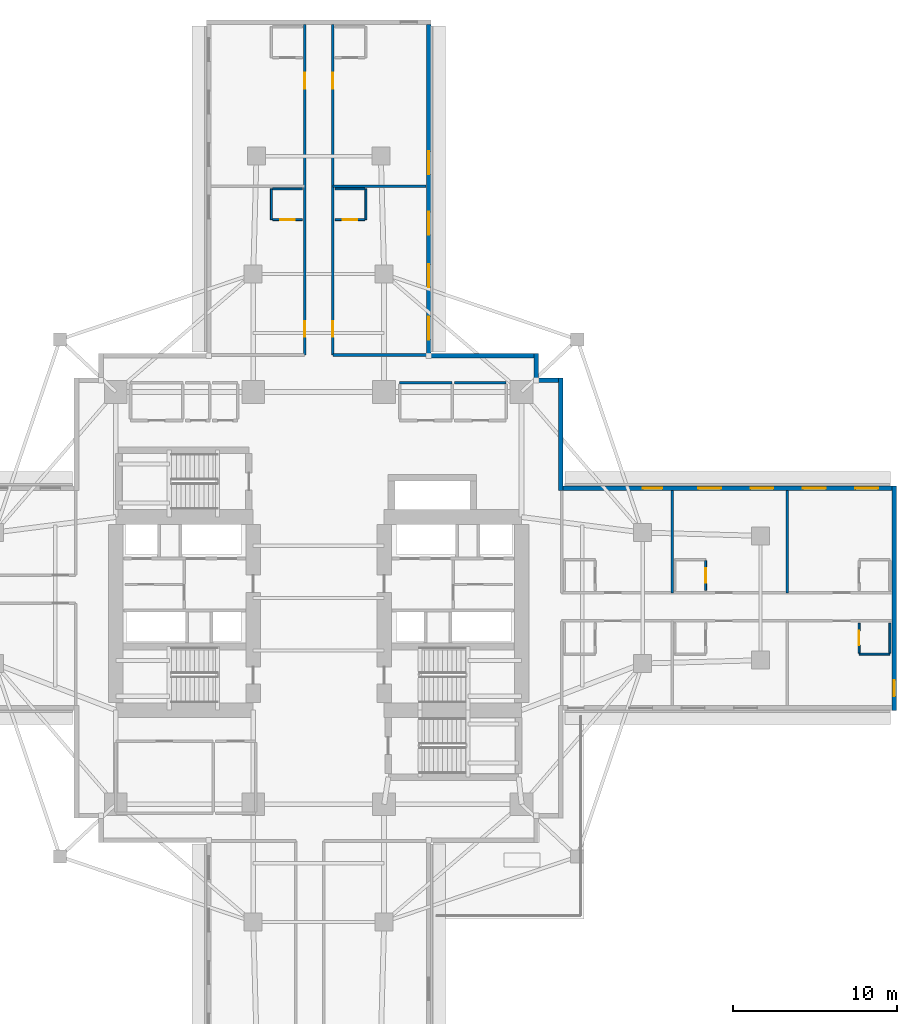
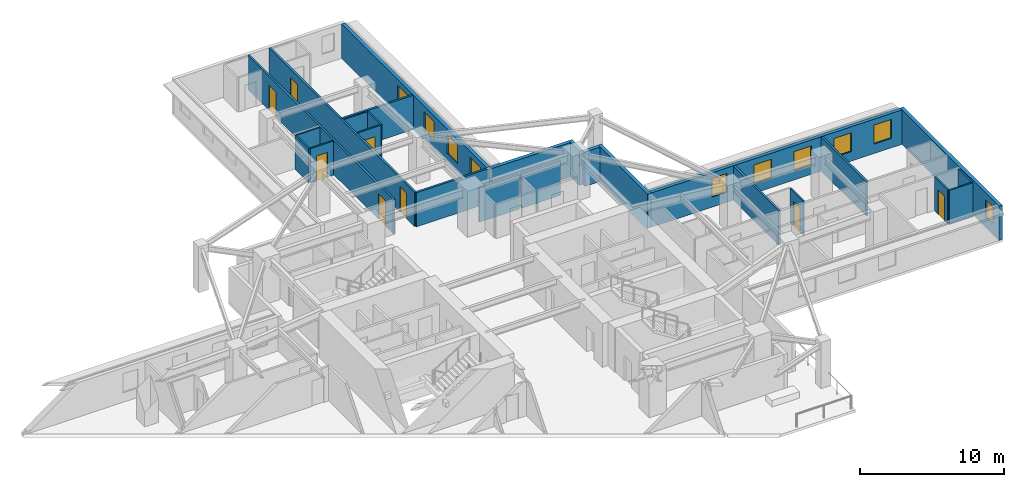
# One storey, part 7 of 13: 25 walls, 10 windows, 8 doors, 18 openings.
"""IFC4 building model written with IfcOpenShell, lengths in metres."""

from ifc_helpers import new_model, si_unit, direction, frame, frame_2d, origin, place, context, subcontext, project, spatial, rectangle, extrude, material, layer, layer_set, type_object, element, fill, save


model = new_model("IFC4")

# Units and contexts
model_context = context("Model", 3, precision=1e-05, world=origin(), true_north=direction((0.0, 1.0)))
body_context = subcontext(model_context, "Body", "Model", "MODEL_VIEW")
ifc_project = project(units=[si_unit("LENGTHUNIT", "METRE"), si_unit("AREAUNIT", "SQUARE_METRE"), si_unit("VOLUMEUNIT", "CUBIC_METRE"), si_unit("PLANEANGLEUNIT", "RADIAN"), si_unit("MASSUNIT", "GRAM", prefix="KILO")], contexts=[model_context])

# Site, building, storey
site_placement = place(None, origin())
site = spatial("IfcSite", under=ifc_project, at=site_placement, CompositionType="ELEMENT")
building_placement = place(site_placement, origin())
building = spatial("IfcBuilding", under=site, at=building_placement, Name="Qingluan Cross Belvedere", CompositionType="ELEMENT")
storey_placement = place(building_placement, frame((0.0, 0.0, 63.89990234375)))
storey = spatial("IfcBuildingStorey", under=building, at=storey_placement, Name="L16", CompositionType="ELEMENT", Elevation=63.89990234375)

# Walls
ifc_material_1 = material(Name="Gypsum plasterboard on steel stud acoustic partition", Category="steel")
ifc_layer_1 = layer(ifc_material_1, 0.159912109375, Name="CorridorPartition_160")
ifc_layer_set_1 = layer_set([ifc_layer_1], Name="Gypsum plasterboard on steel stud acoustic partition")
wall_type_1 = type_object("IfcWallType", Name="CorridorPartition_160", PredefinedType="PARTITIONING", material=ifc_layer_set_1)
wall_1_placement = place(storey_placement, frame((4.949951171875, 13.14990234375, 0.0), z_axis=(0.0, 0.0, 1.0), x_axis=(1.0, 0.0, 0.0)))
element("IfcWall", 1, at=wall_1_placement, inside=storey, type_object=wall_type_1, Name="Partition L16:q_ne1:N", PredefinedType="PARTITIONING", context=body_context, shape_type="SweptSolid", body=[
    extrude(rectangle(XDim=3.199951171875, YDim=0.159912109375, at=frame_2d((1.60009765625, 0.0))), origin(), (0.0, 0.0, 1.0), 2.900146484375),
])
wall_2_placement = place(storey_placement, frame((8.31005859375, 13.14990234375, 0.0), z_axis=(0.0, 0.0, 1.0), x_axis=(1.0, 0.0, 0.0)))
element("IfcWall", 2, at=wall_2_placement, inside=storey, type_object=wall_type_1, Name="Partition L16:q_ne2:N", PredefinedType="PARTITIONING", context=body_context, shape_type="SweptSolid", body=[
    extrude(rectangle(XDim=3.139892578125, YDim=0.159912109375, at=frame_2d((1.56982421875, 0.0))), origin(), (0.0, 0.0, 1.0), 2.900146484375),
])
for number, where, z_axis, x_axis, name in (
    (3, (21.610107421875, 0.320068359375, 0.0), (0.0, 0.0, 1.0), (0.0, 1.0, 0.0), "Partition L16:E:d0_0"),
    (4, (28.634033203125, 0.320068359375, 0.0), (0.0, 0.0, 1.0), (0.0, 1.0, 0.0), "Partition L16:E:d0_1"),
):
    element("IfcWall", number, at=place(storey_placement, frame(where, z_axis=z_axis, x_axis=x_axis)), inside=storey, type_object=wall_type_1, Name=name, PredefinedType="PARTITIONING", context=body_context, shape_type="SweptSolid", body=[
        extrude(rectangle(XDim=6.251953125, YDim=0.159912109375, at=frame_2d((3.1259765625, 0.0))), origin(), (0.0, 0.0, 1.0), 2.900146484375),
    ])

# Wall, openings, doors
wall_3_placement = place(storey_placement, frame((0.860107421875, 14.85009765625, 0.0), z_axis=(0.0, 0.0, 1.0), x_axis=(0.0, 1.0, 0.0)))
wall_3 = element("IfcWall", 5, at=wall_3_placement, inside=storey, type_object=wall_type_1, Name="Partition L16:N:c0", PredefinedType="PARTITIONING", context=body_context, shape_type="SweptSolid", body=[
    extrude(rectangle(XDim=20.181884765625, YDim=0.159912109375, at=frame_2d((10.0908203125, 0.0))), origin(), (0.0, 0.0, 1.0), 2.900146484375),
])
opening_1_placement = place(wall_3_placement, frame((1.10595703125, 0.0, 0.0)))
opening_1 = element("IfcOpeningElement", 6, at=opening_1_placement, cuts=wall_3, Name="Opening GD-10", PredefinedType="OPENING", context=body_context, shape_type="SweptSolid", body=[
    extrude(rectangle(XDim=0.9599609375, YDim=2.14990234375, at=frame_2d((0.47998046875, 1.074951171875))), frame((0.0, 0.08984375, 0.0), z_axis=(0.0, -1.0, 0.0), x_axis=(1.0, 0.0, 0.0)), (0.0, 0.0, 1.0), 0.179931640625),
])
opening_2_placement = place(wall_3_placement, frame((16.280029296875, 0.0, 0.0)))
opening_2 = element("IfcOpeningElement", 7, at=opening_2_placement, cuts=wall_3, Name="Opening GD-10", PredefinedType="OPENING", context=body_context, shape_type="SweptSolid", body=[
    extrude(rectangle(XDim=0.9599609375, YDim=2.14990234375, at=frame_2d((0.47998046875, 1.074951171875))), frame((0.0, 0.08984375, 0.0), z_axis=(0.0, -1.0, 0.0), x_axis=(1.0, 0.0, 0.0)), (0.0, 0.0, 1.0), 0.179931640625),
])
ifc_material_2 = material(Name="Timber oak fire-rated acoustic guestroom door", Category="wood")
door_type_1 = type_object("IfcDoorType", Name="GuestEntryDoor_FD60", OperationType="NOTDEFINED", PredefinedType="DOOR", material=ifc_material_2)
door_1_placement = place(opening_1_placement, origin())
door_1 = element("IfcDoor", 8, at=door_1_placement, inside=storey, type_object=door_type_1, Name="Guest entry fire door 1611", OperationType="SINGLE_SWING_LEFT", OverallHeight=2.14990234375, OverallWidth=0.9599609375, PredefinedType="DOOR", context=body_context, shape_type="SweptSolid", body=[
    extrude(rectangle(XDim=0.9599609375, YDim=2.14990234375, at=frame_2d((0.47998046875, 1.074951171875))), frame((0.0, 0.02490234375, 0.0), z_axis=(0.0, -1.0, 0.0), x_axis=(1.0, 0.0, 0.0)), (0.0, 0.0, 1.0), 0.050048828125),
])
fill(opening_1, door_1)
door_2_placement = place(opening_2_placement, origin())
door_2 = element("IfcDoor", 9, at=door_2_placement, inside=storey, type_object=door_type_1, Name="Guest entry fire door 1612", OperationType="SINGLE_SWING_LEFT", OverallHeight=2.14990234375, OverallWidth=0.9599609375, PredefinedType="DOOR", context=body_context, shape_type="SweptSolid", body=[
    extrude(rectangle(XDim=0.9599609375, YDim=2.14990234375, at=frame_2d((0.47998046875, 1.074951171875))), frame((0.0, 0.02490234375, 0.0), z_axis=(0.0, -1.0, 0.0), x_axis=(1.0, 0.0, 0.0)), (0.0, 0.0, 1.0), 0.050048828125),
])
fill(opening_2, door_2)

# Walls
wall_4_placement = place(storey_placement, frame((0.860107421875, 14.85009765625, 0.0), z_axis=(0.0, 0.0, 1.0), x_axis=(1.0, 0.0, 0.0)))
element("IfcWall", 10, at=wall_4_placement, inside=storey, type_object=wall_type_1, Name="Partition L16:N:s0", PredefinedType="PARTITIONING", context=body_context, shape_type="SweptSolid", body=[
    extrude(rectangle(XDim=5.85986328125, YDim=0.159912109375, at=frame_2d((2.929931640625, 0.0))), origin(), (0.0, 0.0, 1.0), 2.900146484375),
])
wall_5_placement = place(storey_placement, frame((0.860107421875, 25.156982421875, 0.0), z_axis=(0.0, 0.0, 1.0), x_axis=(1.0, 0.0, 0.0)))
element("IfcWall", 11, at=wall_5_placement, inside=storey, type_object=wall_type_1, Name="Partition L16:N:d0_0", PredefinedType="PARTITIONING", context=body_context, shape_type="SweptSolid", body=[
    extrude(rectangle(XDim=5.7119140625, YDim=0.159912109375, at=frame_2d((2.85595703125, 0.0))), origin(), (0.0, 0.0, 1.0), 2.900146484375),
])

# Wall, openings, doors
wall_6_placement = place(storey_placement, frame((-0.860107421875, 14.85009765625, 0.0), z_axis=(0.0, 0.0, 1.0), x_axis=(0.0, 1.0, 0.0)))
wall_6 = element("IfcWall", 12, at=wall_6_placement, inside=storey, type_object=wall_type_1, Name="Partition L16:N:c1", PredefinedType="PARTITIONING", context=body_context, shape_type="SweptSolid", body=[
    extrude(rectangle(XDim=20.181884765625, YDim=0.159912109375, at=frame_2d((10.0908203125, 0.0))), origin(), (0.0, 0.0, 1.0), 2.900146484375),
])
opening_3_placement = place(wall_6_placement, frame((1.10595703125, 0.0, 0.0)))
opening_3 = element("IfcOpeningElement", 13, at=opening_3_placement, cuts=wall_6, Name="Opening GD-10", PredefinedType="OPENING", context=body_context, shape_type="SweptSolid", body=[
    extrude(rectangle(XDim=0.9599609375, YDim=2.14990234375, at=frame_2d((0.47998046875, 1.074951171875))), frame((0.0, 0.08984375, 0.0), z_axis=(0.0, -1.0, 0.0), x_axis=(1.0, 0.0, 0.0)), (0.0, 0.0, 1.0), 0.179931640625),
])
opening_4_placement = place(wall_6_placement, frame((16.280029296875, 0.0, 0.0)))
opening_4 = element("IfcOpeningElement", 14, at=opening_4_placement, cuts=wall_6, Name="Opening GD-10", PredefinedType="OPENING", context=body_context, shape_type="SweptSolid", body=[
    extrude(rectangle(XDim=0.9599609375, YDim=2.14990234375, at=frame_2d((0.47998046875, 1.074951171875))), frame((0.0, 0.08984375, 0.0), z_axis=(0.0, -1.0, 0.0), x_axis=(1.0, 0.0, 0.0)), (0.0, 0.0, 1.0), 0.179931640625),
])
door_3_placement = place(opening_3_placement, origin())
door_3 = element("IfcDoor", 15, at=door_3_placement, inside=storey, type_object=door_type_1, Name="Guest entry fire door 1613", OperationType="SINGLE_SWING_LEFT", OverallHeight=2.14990234375, OverallWidth=0.9599609375, PredefinedType="DOOR", context=body_context, shape_type="SweptSolid", body=[
    extrude(rectangle(XDim=0.9599609375, YDim=2.14990234375, at=frame_2d((0.47998046875, 1.074951171875))), frame((0.0, 0.02490234375, 0.0), z_axis=(0.0, -1.0, 0.0), x_axis=(1.0, 0.0, 0.0)), (0.0, 0.0, 1.0), 0.050048828125),
])
fill(opening_3, door_3)
door_4_placement = place(opening_4_placement, origin())
door_4 = element("IfcDoor", 16, at=door_4_placement, inside=storey, type_object=door_type_1, Name="Guest entry fire door 1614", OperationType="SINGLE_SWING_LEFT", OverallHeight=2.14990234375, OverallWidth=0.9599609375, PredefinedType="DOOR", context=body_context, shape_type="SweptSolid", body=[
    extrude(rectangle(XDim=0.9599609375, YDim=2.14990234375, at=frame_2d((0.47998046875, 1.074951171875))), frame((0.0, 0.02490234375, 0.0), z_axis=(0.0, -1.0, 0.0), x_axis=(1.0, 0.0, 0.0)), (0.0, 0.0, 1.0), 0.050048828125),
])
fill(opening_4, door_4)

# Wall, opening, door
ifc_material_3 = material(Name="Moisture-resistant gypsum board lining")
ifc_layer_2 = layer(ifc_material_3, 0.1201171875, Name="EnsuiteWetPartition_120")
ifc_layer_set_2 = layer_set([ifc_layer_2], Name="Moisture-resistant gypsum board lining")
wall_type_2 = type_object("IfcWallType", Name="EnsuiteWetPartition_120", PredefinedType="PARTITIONING", material=ifc_layer_set_2)
wall_7_placement = place(storey_placement, frame((23.64990234375, 0.4599609375, 0.0), z_axis=(0.0, 0.0, 1.0), x_axis=(0.0, 1.0, 0.0)))
wall_7 = element("IfcWall", 17, at=wall_7_placement, inside=storey, type_object=wall_type_2, Name="Partition L16:E:bs0_1", PredefinedType="PARTITIONING", context=body_context, shape_type="SweptSolid", body=[
    extrude(rectangle(XDim=1.820068359375, YDim=0.1201171875, at=frame_2d((0.91015625, 0.0))), origin(), (0.0, 0.0, 1.0), 2.900146484375),
])
opening_5_placement = place(wall_7_placement, frame((0.469970703125, 0.0, 0.0)))
opening_5 = element("IfcOpeningElement", 18, at=opening_5_placement, cuts=wall_7, Name="Opening BD-09", PredefinedType="OPENING", context=body_context, shape_type="SweptSolid", body=[
    extrude(rectangle(XDim=0.8798828125, YDim=2.10009765625, at=frame_2d((0.43994140625, 1.050048828125))), frame((0.0, 0.070068359375, 0.0), z_axis=(0.0, -1.0, 0.0), x_axis=(1.0, 0.0, 0.0)), (0.0, 0.0, 1.0), 0.14013671875),
])
ifc_material_4 = material(Name="Moisture-sealed timber en-suite door", Category="wood")
door_type_2 = type_object("IfcDoorType", Name="BathroomDoor_880", OperationType="NOTDEFINED", PredefinedType="DOOR", material=ifc_material_4)
door_5_placement = place(opening_5_placement, origin())
door_5 = element("IfcDoor", 19, at=door_5_placement, inside=storey, type_object=door_type_2, Name="Bathroom door 1602", OperationType="SINGLE_SWING_RIGHT", OverallHeight=2.10009765625, OverallWidth=0.8798828125, PredefinedType="DOOR", context=body_context, shape_type="SweptSolid", body=[
    extrude(rectangle(XDim=0.8798828125, YDim=2.10009765625, at=frame_2d((0.43994140625, 1.050048828125))), frame((0.0, 0.02490234375, 0.0), z_axis=(0.0, -1.0, 0.0), x_axis=(1.0, 0.0, 0.0)), (0.0, 0.0, 1.0), 0.050048828125),
])
fill(opening_5, door_5)

wall_8_placement = place(storey_placement, frame((33.02001953125, -3.360107421875, 0.0), z_axis=(0.0, 0.0, 1.0), x_axis=(0.0, 1.0, 0.0)))
wall_8 = element("IfcWall", 20, at=wall_8_placement, inside=storey, type_object=wall_type_2, Name="Partition L16:E:bs1_2", PredefinedType="PARTITIONING", context=body_context, shape_type="SweptSolid", body=[
    extrude(rectangle(XDim=1.820068359375, YDim=0.1201171875, at=frame_2d((0.91015625, 0.0))), origin(), (0.0, 0.0, 1.0), 2.900146484375),
])
opening_6_placement = place(wall_8_placement, frame((0.469970703125, 0.0, 0.0)))
opening_6 = element("IfcOpeningElement", 21, at=opening_6_placement, cuts=wall_8, Name="Opening BD-09", PredefinedType="OPENING", context=body_context, shape_type="SweptSolid", body=[
    extrude(rectangle(XDim=0.8798828125, YDim=2.10009765625, at=frame_2d((0.43994140625, 1.050048828125))), frame((0.0, 0.070068359375, 0.0), z_axis=(0.0, -1.0, 0.0), x_axis=(1.0, 0.0, 0.0)), (0.0, 0.0, 1.0), 0.14013671875),
])
door_6_placement = place(opening_6_placement, origin())
door_6 = element("IfcDoor", 22, at=door_6_placement, inside=storey, type_object=door_type_2, Name="Bathroom door 1606", OperationType="SINGLE_SWING_RIGHT", OverallHeight=2.10009765625, OverallWidth=0.8798828125, PredefinedType="DOOR", context=body_context, shape_type="SweptSolid", body=[
    extrude(rectangle(XDim=0.8798828125, YDim=2.10009765625, at=frame_2d((0.43994140625, 1.050048828125))), frame((0.0, 0.02490234375, 0.0), z_axis=(0.0, -1.0, 0.0), x_axis=(1.0, 0.0, 0.0)), (0.0, 0.0, 1.0), 0.050048828125),
])
fill(opening_6, door_6)

# Walls
wall_9_placement = place(storey_placement, frame((34.89990234375, -3.360107421875, 0.0), z_axis=(0.0, 0.0, 1.0), x_axis=(0.0, 1.0, 0.0)))
element("IfcWall", 23, at=wall_9_placement, inside=storey, type_object=wall_type_2, Name="Partition L16:E:bw1_2", PredefinedType="PARTITIONING", context=body_context, shape_type="SweptSolid", body=[
    extrude(rectangle(XDim=1.820068359375, YDim=0.1201171875, at=frame_2d((0.91015625, 0.0))), origin(), (0.0, 0.0, 1.0), 2.900146484375),
])
wall_10_placement = place(storey_placement, frame((33.02001953125, -3.425048828125, 0.0), z_axis=(0.0, 0.0, 1.0), x_axis=(1.0, 0.0, 0.0)))
element("IfcWall", 24, at=wall_10_placement, inside=storey, type_object=wall_type_2, Name="Partition L16:E:bc1_2", PredefinedType="PARTITIONING", context=body_context, shape_type="SweptSolid", body=[
    extrude(rectangle(XDim=1.8798828125, YDim=0.1201171875, at=frame_2d((0.93994140625, 0.0))), origin(), (0.0, 0.0, 1.0), 2.900146484375),
])

# Wall, opening, door
wall_11_placement = place(storey_placement, frame((1.0, 23.116943359375, 0.0), z_axis=(0.0, 0.0, 1.0), x_axis=(1.0, 0.0, 0.0)))
wall_11 = element("IfcWall", 25, at=wall_11_placement, inside=storey, type_object=wall_type_2, Name="Partition L16:N:bs0_0", PredefinedType="PARTITIONING", context=body_context, shape_type="SweptSolid", body=[
    extrude(rectangle(XDim=1.820068359375, YDim=0.1201171875, at=frame_2d((0.91015625, 0.0))), origin(), (0.0, 0.0, 1.0), 2.900146484375),
])
opening_7_placement = place(wall_11_placement, frame((0.469970703125, 0.0, 0.0)))
opening_7 = element("IfcOpeningElement", 26, at=opening_7_placement, cuts=wall_11, Name="Opening BD-09", PredefinedType="OPENING", context=body_context, shape_type="SweptSolid", body=[
    extrude(rectangle(XDim=0.8798828125, YDim=2.10009765625, at=frame_2d((0.43994140625, 1.050048828125))), frame((0.0, 0.070068359375, 0.0), z_axis=(0.0, -1.0, 0.0), x_axis=(1.0, 0.0, 0.0)), (0.0, 0.0, 1.0), 0.14013671875),
])
door_7_placement = place(opening_7_placement, origin())
door_7 = element("IfcDoor", 27, at=door_7_placement, inside=storey, type_object=door_type_2, Name="Bathroom door 1611", OperationType="SINGLE_SWING_RIGHT", OverallHeight=2.10009765625, OverallWidth=0.8798828125, PredefinedType="DOOR", context=body_context, shape_type="SweptSolid", body=[
    extrude(rectangle(XDim=0.8798828125, YDim=2.10009765625, at=frame_2d((0.43994140625, 1.050048828125))), frame((0.0, 0.02490234375, 0.0), z_axis=(0.0, -1.0, 0.0), x_axis=(1.0, 0.0, 0.0)), (0.0, 0.0, 1.0), 0.050048828125),
])
fill(opening_7, door_7)

# Walls
wall_12_placement = place(storey_placement, frame((1.0, 24.9970703125, 0.0), z_axis=(0.0, 0.0, 1.0), x_axis=(1.0, 0.0, 0.0)))
element("IfcWall", 28, at=wall_12_placement, inside=storey, type_object=wall_type_2, Name="Partition L16:N:bw0_0", PredefinedType="PARTITIONING", context=body_context, shape_type="SweptSolid", body=[
    extrude(rectangle(XDim=1.820068359375, YDim=0.1201171875, at=frame_2d((0.91015625, 0.0))), origin(), (0.0, 0.0, 1.0), 2.900146484375),
])
wall_13_placement = place(storey_placement, frame((2.885009765625, 23.116943359375, 0.0), z_axis=(0.0, 0.0, 1.0), x_axis=(0.0, 1.0, 0.0)))
element("IfcWall", 29, at=wall_13_placement, inside=storey, type_object=wall_type_2, Name="Partition L16:N:bn0_0", PredefinedType="PARTITIONING", context=body_context, shape_type="SweptSolid", body=[
    extrude(rectangle(XDim=1.880126953125, YDim=0.1201171875, at=frame_2d((0.93994140625, 0.0))), origin(), (0.0, 0.0, 1.0), 2.900146484375),
])

# Wall, opening, door
wall_14_placement = place(storey_placement, frame((-2.820068359375, 23.116943359375, 0.0), z_axis=(0.0, 0.0, 1.0), x_axis=(1.0, 0.0, 0.0)))
wall_14 = element("IfcWall", 30, at=wall_14_placement, inside=storey, type_object=wall_type_2, Name="Partition L16:N:bs1_0", PredefinedType="PARTITIONING", context=body_context, shape_type="SweptSolid", body=[
    extrude(rectangle(XDim=1.820068359375, YDim=0.1201171875, at=frame_2d((0.91015625, 0.0))), origin(), (0.0, 0.0, 1.0), 2.900146484375),
])
opening_8_placement = place(wall_14_placement, frame((0.469970703125, 0.0, 0.0)))
opening_8 = element("IfcOpeningElement", 31, at=opening_8_placement, cuts=wall_14, Name="Opening BD-09", PredefinedType="OPENING", context=body_context, shape_type="SweptSolid", body=[
    extrude(rectangle(XDim=0.8798828125, YDim=2.10009765625, at=frame_2d((0.43994140625, 1.050048828125))), frame((0.0, 0.070068359375, 0.0), z_axis=(0.0, -1.0, 0.0), x_axis=(1.0, 0.0, 0.0)), (0.0, 0.0, 1.0), 0.14013671875),
])
door_8_placement = place(opening_8_placement, origin())
door_8 = element("IfcDoor", 32, at=door_8_placement, inside=storey, type_object=door_type_2, Name="Bathroom door 1613", OperationType="SINGLE_SWING_RIGHT", OverallHeight=2.10009765625, OverallWidth=0.8798828125, PredefinedType="DOOR", context=body_context, shape_type="SweptSolid", body=[
    extrude(rectangle(XDim=0.8798828125, YDim=2.10009765625, at=frame_2d((0.43994140625, 1.050048828125))), frame((0.0, 0.02490234375, 0.0), z_axis=(0.0, -1.0, 0.0), x_axis=(1.0, 0.0, 0.0)), (0.0, 0.0, 1.0), 0.050048828125),
])
fill(opening_8, door_8)

# Walls
wall_15_placement = place(storey_placement, frame((-2.820068359375, 24.9970703125, 0.0), z_axis=(0.0, 0.0, 1.0), x_axis=(1.0, 0.0, 0.0)))
element("IfcWall", 33, at=wall_15_placement, inside=storey, type_object=wall_type_2, Name="Partition L16:N:bw1_0", PredefinedType="PARTITIONING", context=body_context, shape_type="SweptSolid", body=[
    extrude(rectangle(XDim=1.820068359375, YDim=0.1201171875, at=frame_2d((0.91015625, 0.0))), origin(), (0.0, 0.0, 1.0), 2.900146484375),
])
wall_16_placement = place(storey_placement, frame((-2.885009765625, 23.116943359375, 0.0), z_axis=(0.0, 0.0, 1.0), x_axis=(0.0, 1.0, 0.0)))
element("IfcWall", 34, at=wall_16_placement, inside=storey, type_object=wall_type_2, Name="Partition L16:N:bc1_0", PredefinedType="PARTITIONING", context=body_context, shape_type="SweptSolid", body=[
    extrude(rectangle(XDim=1.880126953125, YDim=0.1201171875, at=frame_2d((0.93994140625, 0.0))), origin(), (0.0, 0.0, 1.0), 2.900146484375),
])

# Wall, openings, windows
ifc_material_5 = material(Name="Precast concrete C45", Category="concrete")
ifc_layer_3 = layer(ifc_material_5, 0.280029296875, Name="PrecastFacadeWall_280")
ifc_layer_set_3 = layer_set([ifc_layer_3], Name="Precast concrete C45")
wall_type_3 = type_object("IfcWallType", Name="PrecastFacadeWall_280", PredefinedType="STANDARD", material=ifc_layer_set_3)
wall_17_placement = place(storey_placement, frame((35.0400390625, 6.719970703125, 0.0), z_axis=(0.0, 0.0, 1.0), x_axis=(-1.0, 0.0, 0.0)))
wall_17 = element("IfcWall", 35, at=wall_17_placement, inside=storey, type_object=wall_type_3, Name="Facade wall L16-EB", PredefinedType="STANDARD", context=body_context, shape_type="SweptSolid", body=[
    extrude(rectangle(XDim=20.10009765625, YDim=0.280029296875, at=frame_2d((10.050048828125, 0.0))), origin(), (0.0, 0.0, 1.0), 2.91015625),
])
opening_9_placement = place(wall_17_placement, frame((0.85009765625, 0.0, 0.800048828125)))
opening_9 = element("IfcOpeningElement", 36, at=opening_9_placement, cuts=wall_17, Name="Opening W-01", PredefinedType="OPENING", context=body_context, shape_type="SweptSolid", body=[
    extrude(rectangle(XDim=1.39990234375, YDim=1.60009765625, at=frame_2d((0.699951171875, 0.800048828125))), frame((0.0, 0.14990234375, 0.0), z_axis=(0.0, -1.0, 0.0), x_axis=(1.0, 0.0, 0.0)), (0.0, 0.0, 1.0), 0.300048828125),
])
opening_10_placement = place(wall_17_placement, frame((4.050048828125, 0.0, 0.800048828125)))
opening_10 = element("IfcOpeningElement", 37, at=opening_10_placement, cuts=wall_17, Name="Opening W-01", PredefinedType="OPENING", context=body_context, shape_type="SweptSolid", body=[
    extrude(rectangle(XDim=1.39990234375, YDim=1.60009765625, at=frame_2d((0.699951171875, 0.800048828125))), frame((0.0, 0.14990234375, 0.0), z_axis=(0.0, -1.0, 0.0), x_axis=(1.0, 0.0, 0.0)), (0.0, 0.0, 1.0), 0.300048828125),
])
opening_11_placement = place(wall_17_placement, frame((7.25, 0.0, 0.800048828125)))
opening_11 = element("IfcOpeningElement", 38, at=opening_11_placement, cuts=wall_17, Name="Opening W-01", PredefinedType="OPENING", context=body_context, shape_type="SweptSolid", body=[
    extrude(rectangle(XDim=1.39990234375, YDim=1.60009765625, at=frame_2d((0.699951171875, 0.800048828125))), frame((0.0, 0.14990234375, 0.0), z_axis=(0.0, -1.0, 0.0), x_axis=(1.0, 0.0, 0.0)), (0.0, 0.0, 1.0), 0.300048828125),
])
opening_12_placement = place(wall_17_placement, frame((10.449951171875, 0.0, 0.800048828125)))
opening_12 = element("IfcOpeningElement", 39, at=opening_12_placement, cuts=wall_17, Name="Opening W-01", PredefinedType="OPENING", context=body_context, shape_type="SweptSolid", body=[
    extrude(rectangle(XDim=1.39990234375, YDim=1.60009765625, at=frame_2d((0.699951171875, 0.800048828125))), frame((0.0, 0.14990234375, 0.0), z_axis=(0.0, -1.0, 0.0), x_axis=(1.0, 0.0, 0.0)), (0.0, 0.0, 1.0), 0.300048828125),
])
opening_13_placement = place(wall_17_placement, frame((14.034912109375, 0.0, 0.85009765625)))
opening_13 = element("IfcOpeningElement", 40, at=opening_13_placement, cuts=wall_17, Name="Opening W-02", PredefinedType="OPENING", context=body_context, shape_type="SweptSolid", body=[
    extrude(rectangle(XDim=1.199951171875, YDim=1.60009765625, at=frame_2d((0.60009765625, 0.800048828125))), frame((0.0, 0.14990234375, 0.0), z_axis=(0.0, -1.0, 0.0), x_axis=(1.0, 0.0, 0.0)), (0.0, 0.0, 1.0), 0.300048828125),
])
ifc_material_6 = material(Name="Thermally broken triple Low-E glass in aluminium frame", Category="aluminium")
window_type_1 = type_object("IfcWindowType", Name="TriRibbonWin_1200x1600", PartitioningType="SINGLE_PANEL", PredefinedType="WINDOW", material=ifc_material_6)
window_1_placement = place(opening_13_placement, origin())
window_1 = element("IfcWindow", 41, at=window_1_placement, inside=storey, type_object=window_type_1, Name="Deluxe guest room 1601 daylight window", OverallHeight=1.60009765625, OverallWidth=1.199951171875, PartitioningType="SINGLE_PANEL", PredefinedType="WINDOW", context=body_context, shape_type="SweptSolid", body=[
    extrude(rectangle(XDim=1.199951171875, YDim=1.60009765625, at=frame_2d((0.60009765625, 0.800048828125))), frame((0.0, 0.030029296875, 0.0), z_axis=(0.0, -1.0, 0.0), x_axis=(1.0, 0.0, 0.0)), (0.0, 0.0, 1.0), 0.06005859375),
])
fill(opening_13, window_1)
ifc_material_7 = material(Name="Thermally broken triple Low-E glass in aluminium frame", Category="aluminium")
window_type_2 = type_object("IfcWindowType", Name="TriRibbonWin_1400x1600", PartitioningType="SINGLE_PANEL", PredefinedType="WINDOW", material=ifc_material_7)
window_2_placement = place(opening_9_placement, origin())
window_2 = element("IfcWindow", 42, at=window_2_placement, inside=storey, type_object=window_type_2, Name="Ribbon window L16-EB-1", OverallHeight=1.60009765625, OverallWidth=1.39990234375, PartitioningType="SINGLE_PANEL", PredefinedType="WINDOW", context=body_context, shape_type="SweptSolid", body=[
    extrude(rectangle(XDim=1.39990234375, YDim=1.60009765625, at=frame_2d((0.699951171875, 0.800048828125))), frame((0.0, 0.030029296875, 0.0), z_axis=(0.0, -1.0, 0.0), x_axis=(1.0, 0.0, 0.0)), (0.0, 0.0, 1.0), 0.06005859375),
])
fill(opening_9, window_2)
window_3_placement = place(opening_10_placement, origin())
window_3 = element("IfcWindow", 43, at=window_3_placement, inside=storey, type_object=window_type_2, Name="Ribbon window L16-EB-2", OverallHeight=1.60009765625, OverallWidth=1.39990234375, PartitioningType="SINGLE_PANEL", PredefinedType="WINDOW", context=body_context, shape_type="SweptSolid", body=[
    extrude(rectangle(XDim=1.39990234375, YDim=1.60009765625, at=frame_2d((0.699951171875, 0.800048828125))), frame((0.0, 0.030029296875, 0.0), z_axis=(0.0, -1.0, 0.0), x_axis=(1.0, 0.0, 0.0)), (0.0, 0.0, 1.0), 0.06005859375),
])
fill(opening_10, window_3)
window_4_placement = place(opening_11_placement, origin())
window_4 = element("IfcWindow", 44, at=window_4_placement, inside=storey, type_object=window_type_2, Name="Ribbon window L16-EB-3", OverallHeight=1.60009765625, OverallWidth=1.39990234375, PartitioningType="SINGLE_PANEL", PredefinedType="WINDOW", context=body_context, shape_type="SweptSolid", body=[
    extrude(rectangle(XDim=1.39990234375, YDim=1.60009765625, at=frame_2d((0.699951171875, 0.800048828125))), frame((0.0, 0.030029296875, 0.0), z_axis=(0.0, -1.0, 0.0), x_axis=(1.0, 0.0, 0.0)), (0.0, 0.0, 1.0), 0.06005859375),
])
fill(opening_11, window_4)
window_5_placement = place(opening_12_placement, origin())
window_5 = element("IfcWindow", 45, at=window_5_placement, inside=storey, type_object=window_type_2, Name="Ribbon window L16-EB-4", OverallHeight=1.60009765625, OverallWidth=1.39990234375, PartitioningType="SINGLE_PANEL", PredefinedType="WINDOW", context=body_context, shape_type="SweptSolid", body=[
    extrude(rectangle(XDim=1.39990234375, YDim=1.60009765625, at=frame_2d((0.699951171875, 0.800048828125))), frame((0.0, 0.030029296875, 0.0), z_axis=(0.0, -1.0, 0.0), x_axis=(1.0, 0.0, 0.0)), (0.0, 0.0, 1.0), 0.06005859375),
])
fill(opening_12, window_5)

# Wall, opening, window
wall_18_placement = place(storey_placement, frame((35.179931640625, -6.860107421875, 0.0), z_axis=(0.0, 0.0, 1.0), x_axis=(0.0, 1.0, 0.0)))
wall_18 = element("IfcWall", 46, at=wall_18_placement, inside=storey, type_object=wall_type_3, Name="Arm tip precast facade wall L16-E", PredefinedType="STANDARD", context=body_context, shape_type="SweptSolid", body=[
    extrude(rectangle(XDim=13.72021484375, YDim=0.280029296875, at=frame_2d((6.860107421875, 0.0))), origin(), (0.0, 0.0, 1.0), 2.91015625),
])
opening_14_placement = place(wall_18_placement, frame((0.85009765625, 0.0, 0.85009765625)))
opening_14 = element("IfcOpeningElement", 47, at=opening_14_placement, cuts=wall_18, Name="Opening W-03", PredefinedType="OPENING", context=body_context, shape_type="SweptSolid", body=[
    extrude(rectangle(XDim=1.0, YDim=1.5, at=frame_2d((0.5, 0.75))), frame((0.0, 0.14990234375, 0.0), z_axis=(0.0, -1.0, 0.0), x_axis=(1.0, 0.0, 0.0)), (0.0, 0.0, 1.0), 0.300048828125),
])
ifc_material_8 = material(Name="Thermally broken triple Low-E glass in aluminium frame", Category="aluminium")
window_type_3 = type_object("IfcWindowType", Name="TriApexWin_1000x1500", PartitioningType="SINGLE_PANEL", PredefinedType="WINDOW", material=ifc_material_8)
window_6_placement = place(opening_14_placement, origin())
window_6 = element("IfcWindow", 48, at=window_6_placement, inside=storey, type_object=window_type_3, Name="Arm tip triangular window L16-E", OverallHeight=1.5, OverallWidth=1.0, PartitioningType="SINGLE_PANEL", PredefinedType="WINDOW", context=body_context, shape_type="SweptSolid", body=[
    extrude(rectangle(XDim=1.0, YDim=1.5, at=frame_2d((0.5, 0.75))), frame((0.0, 0.030029296875, 0.0), z_axis=(0.0, -1.0, 0.0), x_axis=(1.0, 0.0, 0.0)), (0.0, 0.0, 1.0), 0.06005859375),
])
fill(opening_14, window_6)

# Wall, openings, windows
wall_19_placement = place(storey_placement, frame((6.719970703125, 14.93994140625, 0.0), z_axis=(0.0, 0.0, 1.0), x_axis=(0.0, 1.0, 0.0)))
wall_19 = element("IfcWall", 49, at=wall_19_placement, inside=storey, type_object=wall_type_3, Name="Facade wall L16-NA", PredefinedType="STANDARD", context=body_context, shape_type="SweptSolid", body=[
    extrude(rectangle(XDim=20.10009765625, YDim=0.280029296875, at=frame_2d((10.050048828125, 0.0))), origin(), (0.0, 0.0, 1.0), 2.91015625),
])
opening_15_placement = place(wall_19_placement, frame((0.85009765625, 0.0, 0.800048828125)))
opening_15 = element("IfcOpeningElement", 50, at=opening_15_placement, cuts=wall_19, Name="Opening W-01", PredefinedType="OPENING", context=body_context, shape_type="SweptSolid", body=[
    extrude(rectangle(XDim=1.39990234375, YDim=1.60009765625, at=frame_2d((0.699951171875, 0.800048828125))), frame((0.0, 0.14990234375, 0.0), z_axis=(0.0, -1.0, 0.0), x_axis=(1.0, 0.0, 0.0)), (0.0, 0.0, 1.0), 0.300048828125),
])
opening_16_placement = place(wall_19_placement, frame((4.050048828125, 0.0, 0.800048828125)))
opening_16 = element("IfcOpeningElement", 51, at=opening_16_placement, cuts=wall_19, Name="Opening W-01", PredefinedType="OPENING", context=body_context, shape_type="SweptSolid", body=[
    extrude(rectangle(XDim=1.39990234375, YDim=1.60009765625, at=frame_2d((0.699951171875, 0.800048828125))), frame((0.0, 0.14990234375, 0.0), z_axis=(0.0, -1.0, 0.0), x_axis=(1.0, 0.0, 0.0)), (0.0, 0.0, 1.0), 0.300048828125),
])
opening_17_placement = place(wall_19_placement, frame((7.25, 0.0, 0.800048828125)))
opening_17 = element("IfcOpeningElement", 52, at=opening_17_placement, cuts=wall_19, Name="Opening W-01", PredefinedType="OPENING", context=body_context, shape_type="SweptSolid", body=[
    extrude(rectangle(XDim=1.39990234375, YDim=1.60009765625, at=frame_2d((0.699951171875, 0.800048828125))), frame((0.0, 0.14990234375, 0.0), z_axis=(0.0, -1.0, 0.0), x_axis=(1.0, 0.0, 0.0)), (0.0, 0.0, 1.0), 0.300048828125),
])
opening_18_placement = place(wall_19_placement, frame((10.949951171875, 0.0, 0.800048828125)))
opening_18 = element("IfcOpeningElement", 53, at=opening_18_placement, cuts=wall_19, Name="Opening W-01", PredefinedType="OPENING", context=body_context, shape_type="SweptSolid", body=[
    extrude(rectangle(XDim=1.39990234375, YDim=1.60009765625, at=frame_2d((0.699951171875, 0.800048828125))), frame((0.0, 0.14990234375, 0.0), z_axis=(0.0, -1.0, 0.0), x_axis=(1.0, 0.0, 0.0)), (0.0, 0.0, 1.0), 0.300048828125),
])
window_7_placement = place(opening_15_placement, origin())
window_7 = element("IfcWindow", 54, at=window_7_placement, inside=storey, type_object=window_type_2, Name="Ribbon window L16-NA-1", OverallHeight=1.60009765625, OverallWidth=1.39990234375, PartitioningType="SINGLE_PANEL", PredefinedType="WINDOW", context=body_context, shape_type="SweptSolid", body=[
    extrude(rectangle(XDim=1.39990234375, YDim=1.60009765625, at=frame_2d((0.699951171875, 0.800048828125))), frame((0.0, 0.030029296875, 0.0), z_axis=(0.0, -1.0, 0.0), x_axis=(1.0, 0.0, 0.0)), (0.0, 0.0, 1.0), 0.06005859375),
])
fill(opening_15, window_7)
window_8_placement = place(opening_16_placement, origin())
window_8 = element("IfcWindow", 55, at=window_8_placement, inside=storey, type_object=window_type_2, Name="Ribbon window L16-NA-2", OverallHeight=1.60009765625, OverallWidth=1.39990234375, PartitioningType="SINGLE_PANEL", PredefinedType="WINDOW", context=body_context, shape_type="SweptSolid", body=[
    extrude(rectangle(XDim=1.39990234375, YDim=1.60009765625, at=frame_2d((0.699951171875, 0.800048828125))), frame((0.0, 0.030029296875, 0.0), z_axis=(0.0, -1.0, 0.0), x_axis=(1.0, 0.0, 0.0)), (0.0, 0.0, 1.0), 0.06005859375),
])
fill(opening_16, window_8)
window_9_placement = place(opening_17_placement, origin())
window_9 = element("IfcWindow", 56, at=window_9_placement, inside=storey, type_object=window_type_2, Name="Ribbon window L16-NA-3", OverallHeight=1.60009765625, OverallWidth=1.39990234375, PartitioningType="SINGLE_PANEL", PredefinedType="WINDOW", context=body_context, shape_type="SweptSolid", body=[
    extrude(rectangle(XDim=1.39990234375, YDim=1.60009765625, at=frame_2d((0.699951171875, 0.800048828125))), frame((0.0, 0.030029296875, 0.0), z_axis=(0.0, -1.0, 0.0), x_axis=(1.0, 0.0, 0.0)), (0.0, 0.0, 1.0), 0.06005859375),
])
fill(opening_17, window_9)
window_10_placement = place(opening_18_placement, origin())
window_10 = element("IfcWindow", 57, at=window_10_placement, inside=storey, type_object=window_type_2, Name="Ribbon window L16-NA-4", OverallHeight=1.60009765625, OverallWidth=1.39990234375, PartitioningType="SINGLE_PANEL", PredefinedType="WINDOW", context=body_context, shape_type="SweptSolid", body=[
    extrude(rectangle(XDim=1.39990234375, YDim=1.60009765625, at=frame_2d((0.699951171875, 0.800048828125))), frame((0.0, 0.030029296875, 0.0), z_axis=(0.0, -1.0, 0.0), x_axis=(1.0, 0.0, 0.0)), (0.0, 0.0, 1.0), 0.06005859375),
])
fill(opening_18, window_10)

# Walls
wall_20_placement = place(storey_placement, frame((14.800048828125, 6.580078125, 0.0), z_axis=(0.0, 0.0, 1.0), x_axis=(0.0, 1.0, 0.0)))
element("IfcWall", 58, at=wall_20_placement, inside=storey, type_object=wall_type_3, Name="Corner wall L16-NE1", PredefinedType="STANDARD", context=body_context, shape_type="SweptSolid", body=[
    extrude(rectangle(XDim=6.85986328125, YDim=0.280029296875, at=frame_2d((3.429931640625, 0.0))), origin(), (0.0, 0.0, 1.0), 2.91015625),
])
wall_21_placement = place(storey_placement, frame((14.659912109375, 13.300048828125, 0.0), z_axis=(0.0, 0.0, 1.0), x_axis=(-1.0, 0.0, 0.0)))
element("IfcWall", 59, at=wall_21_placement, inside=storey, type_object=wall_type_3, Name="Corner wall L16-NE2", PredefinedType="STANDARD", context=body_context, shape_type="SweptSolid", body=[
    extrude(rectangle(XDim=1.219970703125, YDim=0.280029296875, at=frame_2d((0.60986328125, 0.0))), origin(), (0.0, 0.0, 1.0), 2.91015625),
])
wall_22_placement = place(storey_placement, frame((13.300048828125, 13.43994140625, 0.0), z_axis=(0.0, 0.0, 1.0), x_axis=(0.0, 1.0, 0.0)))
element("IfcWall", 60, at=wall_22_placement, inside=storey, type_object=wall_type_3, Name="Corner wall L16-NE3", PredefinedType="STANDARD", context=body_context, shape_type="SweptSolid", body=[
    extrude(rectangle(XDim=1.5, YDim=0.280029296875, at=frame_2d((0.75, 0.0))), origin(), (0.0, 0.0, 1.0), 2.91015625),
])
wall_23_placement = place(storey_placement, frame((13.159912109375, 14.800048828125, 0.0), z_axis=(0.0, 0.0, 1.0), x_axis=(-1.0, 0.0, 0.0)))
element("IfcWall", 61, at=wall_23_placement, inside=storey, type_object=wall_type_3, Name="Corner wall L16-NE4", PredefinedType="STANDARD", context=body_context, shape_type="SweptSolid", body=[
    extrude(rectangle(XDim=6.2998046875, YDim=0.280029296875, at=frame_2d((3.14990234375, 0.0))), origin(), (0.0, 0.0, 1.0), 2.91015625),
])

save(model, "model.ifc")
